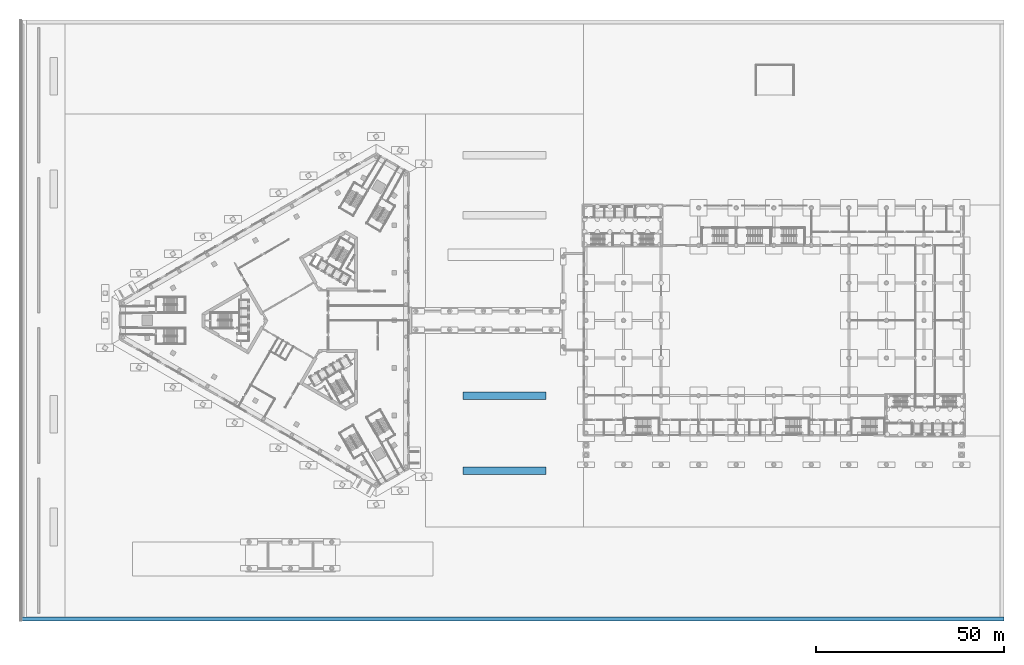
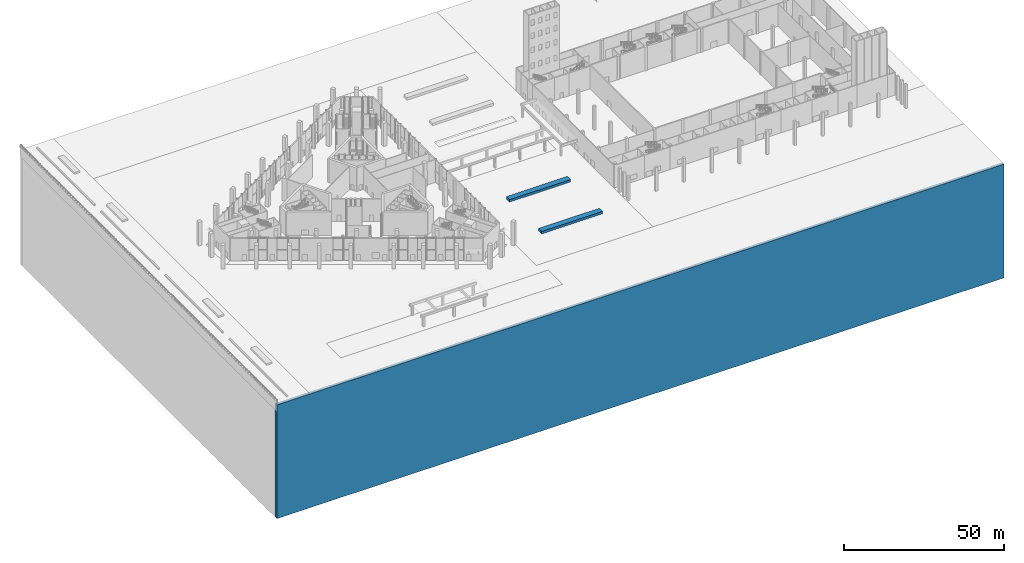
# One storey, part 31 of 63: 3 walls.
"""IFC4 building model written with IfcOpenShell, lengths in metres."""

from ifc_helpers import new_model, si_unit, direction, frame, frame_2d, origin, place, context, subcontext, project, spatial, rectangle, extrude, material, layer, layer_set, type_object, element, save


model = new_model("IFC4")

# Units and contexts
model_context = context("Model", 3, precision=1e-05, world=origin(), true_north=direction((0.0, 1.0)))
body_context = subcontext(model_context, "Body", "Model", "MODEL_VIEW")
ifc_project = project(units=[si_unit("LENGTHUNIT", "METRE"), si_unit("AREAUNIT", "SQUARE_METRE"), si_unit("VOLUMEUNIT", "CUBIC_METRE"), si_unit("PLANEANGLEUNIT", "RADIAN"), si_unit("MASSUNIT", "GRAM", prefix="KILO")], contexts=[model_context])

# Site, building, storey
site_placement = place(None, origin())
site = spatial("IfcSite", under=ifc_project, at=site_placement, CompositionType="ELEMENT")
building_placement = place(site_placement, origin())
building = spatial("IfcBuilding", under=site, at=building_placement, Name="Jabali Bay Hotel Tower and Convention Centre", CompositionType="ELEMENT")
storey_placement = place(building_placement, origin())
storey = spatial("IfcBuildingStorey", under=building, at=storey_placement, Name="L00", CompositionType="ELEMENT", Elevation=0.0)

# Walls
ifc_material_1 = material(Name="Concrete C40", Category="concrete")
ifc_layer_1 = layer(ifc_material_1, 1.0)
ifc_layer_set_1 = layer_set([ifc_layer_1], Name="Concrete C40")
wall_type_1 = type_object("IfcWallType", Name="SI Perimeter Cut-off Wall 1000", PredefinedType="SOLIDWALL", material=ifc_layer_set_1)
wall_placement = place(storey_placement, frame((0.10009765625, 0.5, -43.5), z_axis=(0.0, 0.0, 1.0), x_axis=(1.0, 0.0, 0.0)))
element("IfcWall", 1, at=wall_placement, inside=storey, type_object=wall_type_1, Name="Perimeter cut-off wall south", PredefinedType="SOLIDWALL", context=body_context, shape_type="SweptSolid", body=[
    extrude(rectangle(XDim=261.89990234375, YDim=1.0, at=frame_2d((130.949951171875, 0.0))), origin(), (0.0, 0.0, 1.0), 43.340087890625),
])
ifc_material_2 = material(Name="Concrete C30", Category="concrete")
ifc_layer_2 = layer(ifc_material_2, 2.0)
ifc_layer_set_2 = layer_set([ifc_layer_2], Name="Concrete C30")
wall_type_2 = type_object("IfcWallType", Name="SI Planter Wall 2000", PredefinedType="SOLIDWALL", material=ifc_layer_set_2)
for number, where, z_axis, x_axis, name in (
    (2, (118.0, 40.0, 0.0), (0.0, 0.0, 1.0), (1.0, 0.0, 0.0), "Garden planter 1"),
    (3, (118.0, 60.0, 0.0), (0.0, 0.0, 1.0), (1.0, 0.0, 0.0), "Garden planter 2"),
):
    element("IfcWall", number, at=place(storey_placement, frame(where, z_axis=z_axis, x_axis=x_axis)), inside=storey, type_object=wall_type_2, Name=name, PredefinedType="SOLIDWALL", context=body_context, shape_type="SweptSolid", body=[
        extrude(rectangle(XDim=22.0, YDim=2.0, at=frame_2d((11.0, 0.0))), origin(), (0.0, 0.0, 1.0), 0.89990234375),
    ])

save(model, "model.ifc")
